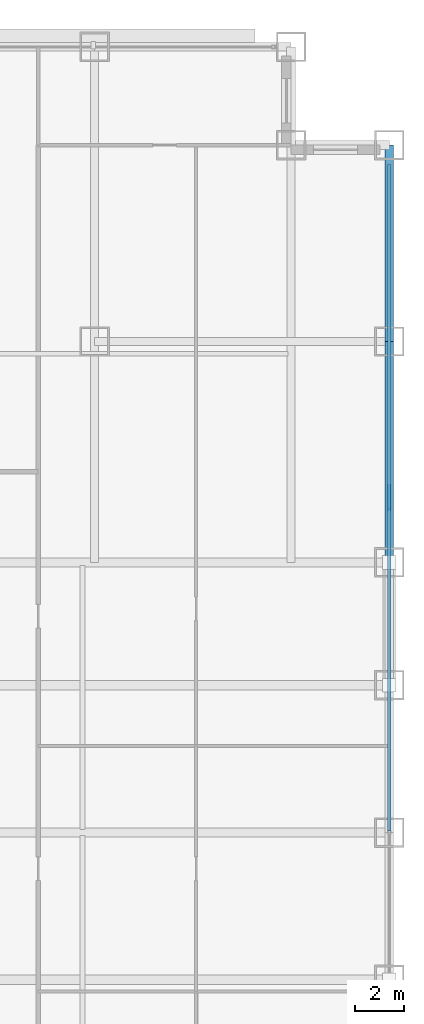
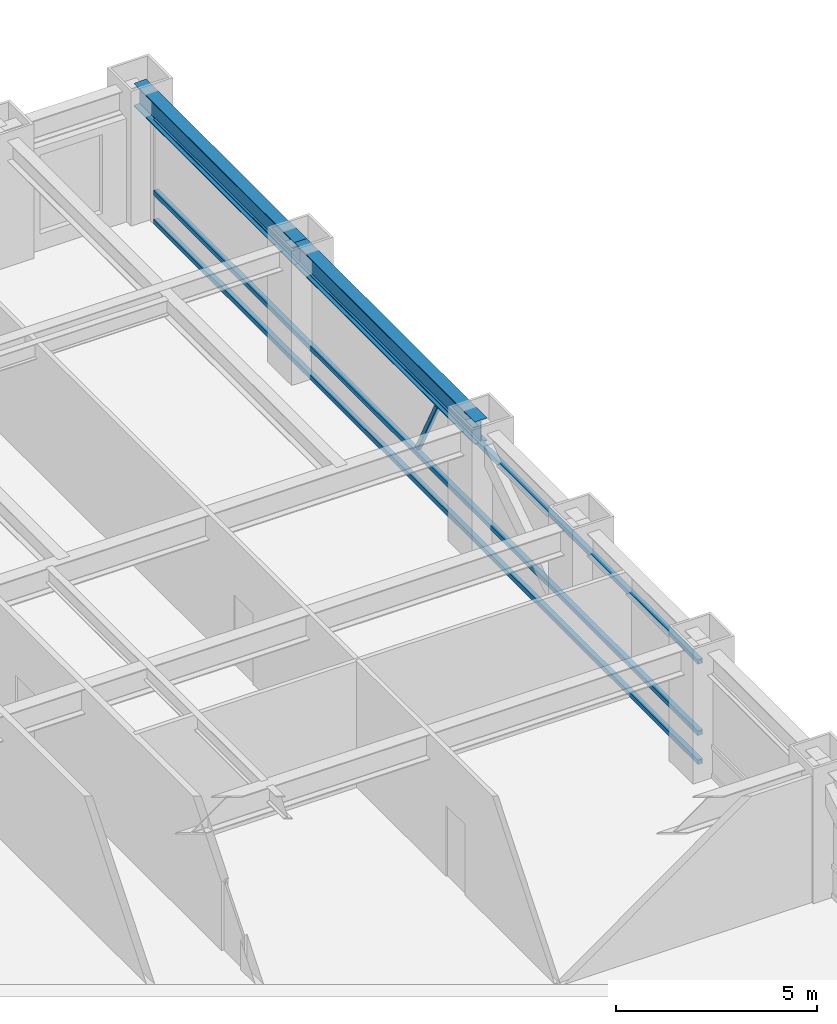
# One storey, part 15 of 32: 4 members, 2 beams, 1 element without a shape of its own.
"""IFC4 building model written with IfcOpenShell, lengths in metres."""

from ifc_helpers import new_model, si_unit, direction, frame, origin, origin_2d, place, context, subcontext, project, spatial, hollow_rectangle, i_section, extrude, source, transform, mapped, material, material_profile, profile_set, type_object, element, aggregate, save


model = new_model("IFC4")

# Units and contexts
model_context = context("Model", 3, precision=1e-05, world=origin(), true_north=direction((0.0, 1.0)))
body_context = subcontext(model_context, "Body", "Model", "MODEL_VIEW")
ifc_project = project(units=[si_unit("LENGTHUNIT", "METRE"), si_unit("AREAUNIT", "SQUARE_METRE"), si_unit("VOLUMEUNIT", "CUBIC_METRE"), si_unit("PLANEANGLEUNIT", "RADIAN"), si_unit("MASSUNIT", "GRAM", prefix="KILO")], contexts=[model_context])

# Site, building, storey
site_placement = place(None, origin())
site = spatial("IfcSite", under=ifc_project, at=site_placement, CompositionType="ELEMENT")
building_placement = place(site_placement, origin())
building = spatial("IfcBuilding", under=site, at=building_placement, Name="Khorayat Bourse Tower", CompositionType="ELEMENT")
storey_placement = place(building_placement, frame((0.0, 0.0, 128.300048828125)))
storey = spatial("IfcBuildingStorey", under=building, at=storey_placement, Name="L29", CompositionType="ELEMENT", Elevation=128.300048828125)

# Beams
ifc_material_1 = material(Name="Steel ASTM A992 Grade 50", Category="steel")
ifc_material_profile_1 = material_profile(ifc_material_1, i_section(OverallWidth=0.35498046875, OverallDepth=0.695068359375, WebThickness=0.015380859375, FlangeThickness=0.02490234375, FilletRadius=0.01806640625, at=origin_2d()), Name="W690X217")
ifc_profile_set_1 = profile_set([ifc_material_profile_1], Name="Steel ASTM A992 Grade 50")
beam_type = type_object("IfcBeamType", Name="BM-SPAN-690", PredefinedType="SPANDREL", material=ifc_profile_set_1)
shared_shape_1 = source(origin(), body_context, "Body", "SweptSolid", [
    extrude(i_section(OverallWidth=0.35498046875, OverallDepth=0.695068359375, WebThickness=0.015380859375, FlangeThickness=0.02490234375, FilletRadius=0.01806640625, at=origin_2d()), origin(), (0.0, 0.0, 1.0), 9.0),
])
beam_1_placement = place(storey_placement, frame((32.0, 11.0, 3.492431640625), z_axis=(0.0, 1.0, 0.0), x_axis=(-1.0, 0.0, 0.0)))
element("IfcBeam", 1, at=beam_1_placement, inside=storey, type_object=beam_type, Name="L29 BM-SPAN-690 BM-L29-SPN-040", PredefinedType="SPANDREL", context=body_context, shape_type="MappedRepresentation", body=[
    mapped(shared_shape_1, transform((0.0, 0.0, 0.0), scale=1.0)),
])
shared_shape_2 = source(origin(), body_context, "Body", "SweptSolid", [
    extrude(i_section(OverallWidth=0.35498046875, OverallDepth=0.695068359375, WebThickness=0.015380859375, FlangeThickness=0.02490234375, FilletRadius=0.01806640625, at=origin_2d()), origin(), (0.0, 0.0, 1.0), 8.0),
])
beam_2_placement = place(storey_placement, frame((32.0, 20.0, 3.492431640625), z_axis=(0.0, 1.0, 0.0), x_axis=(-1.0, 0.0, 0.0)))
element("IfcBeam", 2, at=beam_2_placement, inside=storey, type_object=beam_type, Name="L29 BM-SPAN-690 BM-L29-SPN-041", PredefinedType="SPANDREL", context=body_context, shape_type="MappedRepresentation", body=[
    mapped(shared_shape_2, transform((0.0, 0.0, 0.0), scale=1.0)),
])

# Curtain wall, members
ifc_material_2 = material(Name="Aluminium EN AW-6063 T6", Category="aluminium")
curtain_wall_type = type_object("IfcCurtainWallType", Name="CW-SYS-02", PredefinedType="NOTDEFINED", material=ifc_material_2)
curtain_wall_placement = place(storey_placement, origin())
curtain_wall = element("IfcCurtainWall", 3, at=curtain_wall_placement, inside=storey, type_object=curtain_wall_type, Name="L29 Curtain Wall CW-L29-E1", PredefinedType="NOTDEFINED")
ifc_material_profile_2 = material_profile(ifc_material_2, hollow_rectangle(XDim=0.139892578125, YDim=0.139892578125, WallThickness=0.006103515625, at=origin_2d()), Name="ALU 140x140x6")
ifc_profile_set_2 = profile_set([ifc_material_profile_2], Name="Aluminium EN AW-6063 T6")
member_type_1 = type_object("IfcMemberType", Name="CWT-HORZ-140", PredefinedType="USERDEFINED", material=ifc_profile_set_2)
shared_shape_3 = source(origin(), body_context, "Body", "SweptSolid", [
    extrude(hollow_rectangle(XDim=0.139892578125, YDim=0.139892578125, WallThickness=0.006103515625, at=origin_2d()), origin(), (0.0, 0.0, 1.0), 27.139892578125),
])
member_1_placement = place(storey_placement, frame((32.0, 0.070068359375, 0.070068359375), z_axis=(0.0, 1.0, 0.0), x_axis=(-1.0, 0.0, 0.0)))
member_1 = element("IfcMember", 4, at=member_1_placement, type_object=member_type_1, Name="CW-L29-E1 Horizontal Transom 2-1", ObjectType="TRANSOM", PredefinedType="USERDEFINED", context=body_context, shape_type="MappedRepresentation", body=[
    mapped(shared_shape_3, transform((0.0, 0.0, 0.0), scale=1.0)),
])
member_2_placement = place(storey_placement, frame((32.0, 0.070068359375, 0.949951171875), z_axis=(0.0, 1.0, 0.0), x_axis=(-1.0, 0.0, 0.0)))
member_2 = element("IfcMember", 5, at=member_2_placement, type_object=member_type_1, Name="CW-L29-E1 Horizontal Transom 2-2", ObjectType="TRANSOM", PredefinedType="USERDEFINED", context=body_context, shape_type="MappedRepresentation", body=[
    mapped(shared_shape_3, transform((0.0, 0.0, 0.0), scale=1.0)),
])
member_3_placement = place(storey_placement, frame((32.0, 0.070068359375, 3.119873046875), z_axis=(0.0, 1.0, 0.0), x_axis=(-1.0, 0.0, 0.0)))
member_3 = element("IfcMember", 6, at=member_3_placement, type_object=member_type_1, Name="CW-L29-E1 Horizontal Transom 2-3", ObjectType="TRANSOM", PredefinedType="USERDEFINED", context=body_context, shape_type="MappedRepresentation", body=[
    mapped(shared_shape_3, transform((0.0, 0.0, 0.0), scale=1.0)),
])
ifc_material_profile_3 = material_profile(ifc_material_2, hollow_rectangle(XDim=0.1201171875, YDim=0.1201171875, WallThickness=0.0048828125, at=origin_2d()), Name="ALU 120x120x5")
ifc_profile_set_3 = profile_set([ifc_material_profile_3], Name="Aluminium EN AW-6063 T6")
member_type_2 = type_object("IfcMemberType", Name="CWM-DIAG-120", PredefinedType="MULLION", material=ifc_profile_set_3)
shared_shape_4 = source(origin(), body_context, "Body", "SweptSolid", [
    extrude(hollow_rectangle(XDim=0.1201171875, YDim=0.1201171875, WallThickness=0.0048828125, at=origin_2d()), origin(), (0.0, 0.0, 1.0), 2.11328125),
])
member_4_placement = place(storey_placement, frame((32.0, 14.132080078125, 1.099853515625), z_axis=(0.0, -0.465694055905, 0.884945787207), x_axis=(1.0, 0.0, 0.0)))
member_4 = element("IfcMember", 7, at=member_4_placement, type_object=member_type_2, Name="CW-L29-E1 Faceted Diagonal Mullion 2", PredefinedType="MULLION", context=body_context, shape_type="MappedRepresentation", body=[
    mapped(shared_shape_4, transform((0.0, 0.0, 0.0), scale=1.0)),
])
aggregate(curtain_wall, [member_1, member_2, member_3, member_4])

save(model, "model.ifc")
